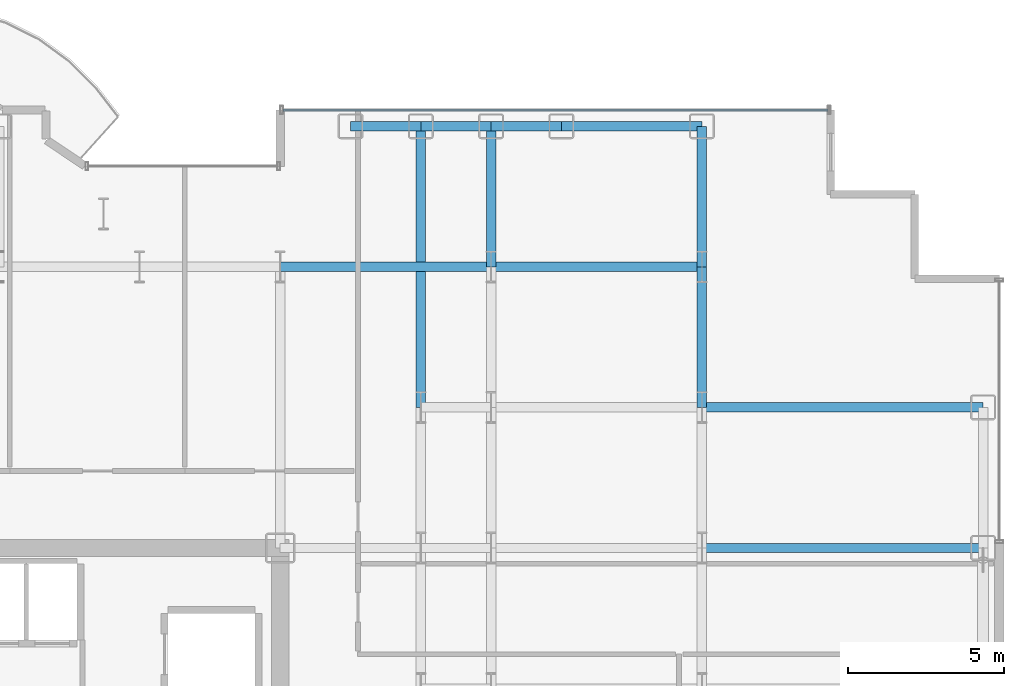
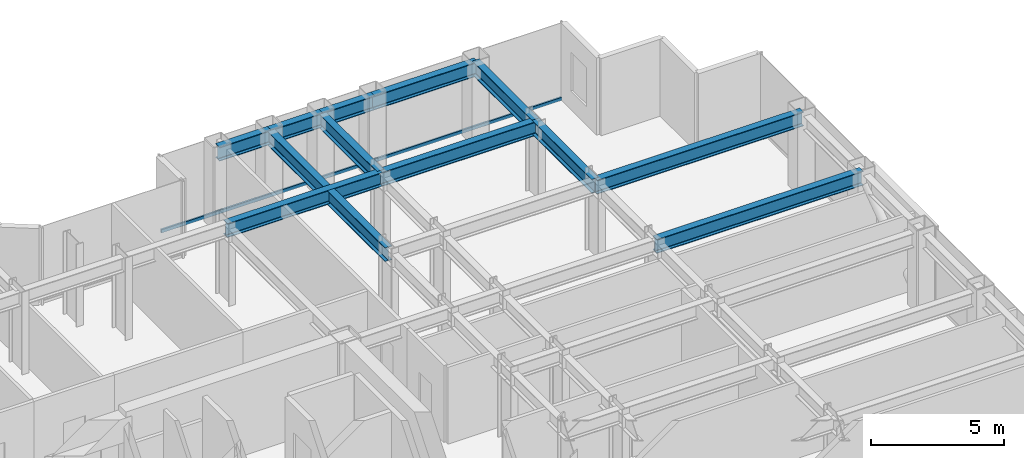
# One storey, part 16 of 29: 12 beams, 1 member, 1 element without a shape of its own.
"""IFC4 building model written with IfcOpenShell, lengths in metres."""

from ifc_helpers import new_model, si_unit, direction, frame, origin, origin_2d, place, context, subcontext, project, spatial, hollow_rectangle, i_section, extrude, source, transform, mapped, material, layer, layer_set, material_profile, profile_set, type_object, element, aggregate, save


model = new_model("IFC4")

# Units and contexts
model_context = context("Model", 3, precision=1e-05, world=origin(), true_north=direction((0.0, 1.0)))
body_context = subcontext(model_context, "Body", "Model", "MODEL_VIEW")
ifc_project = project(units=[si_unit("LENGTHUNIT", "METRE"), si_unit("AREAUNIT", "SQUARE_METRE"), si_unit("VOLUMEUNIT", "CUBIC_METRE"), si_unit("PLANEANGLEUNIT", "RADIAN"), si_unit("MASSUNIT", "GRAM", prefix="KILO")], contexts=[model_context])

# Site, building, storey
site_placement = place(None, origin())
site = spatial("IfcSite", under=ifc_project, at=site_placement, CompositionType="ELEMENT")
building_placement = place(site_placement, origin())
building = spatial("IfcBuilding", under=site, at=building_placement, Name="Nefas-Gora Pilgrimage Tower", CompositionType="ELEMENT")
storey_placement = place(building_placement, frame((0.0, 0.0, 136.39990234375)))
storey = spatial("IfcBuildingStorey", under=building, at=storey_placement, Name="L33", CompositionType="ELEMENT", Elevation=136.39990234375)

# Beams
ifc_material_1 = material(Name="Steel S355", Category="steel")
ifc_material_profile_1 = material_profile(ifc_material_1, i_section(OverallWidth=0.300048828125, OverallDepth=0.64990234375, WebThickness=0.01611328125, FlangeThickness=0.031005859375, FilletRadius=0.027099609375, at=origin_2d()), Name="HEB 650")
ifc_profile_set_1 = profile_set([ifc_material_profile_1], Name="Steel S355")
beam_type_1 = type_object("IfcBeamType", Name="BM-SPN-HEB500", PredefinedType="SPANDREL", material=ifc_profile_set_1)
shared_shape_1 = source(origin(), body_context, "Body", "SweptSolid", [
    extrude(i_section(OverallWidth=0.300048828125, OverallDepth=0.64990234375, WebThickness=0.01611328125, FlangeThickness=0.031005859375, FilletRadius=0.027099609375, at=origin_2d()), origin(), (0.0, 0.0, 1.0), 4.5),
])
beam_placement = place(storey_placement, frame((20.25, 22.5, 3.22509765625), z_axis=(1.0, 0.0, 0.0), x_axis=(0.0, 1.0, 0.0)))
element("IfcBeam", 1, at=beam_placement, inside=storey, type_object=beam_type_1, Name="L33 SP-02 beam", PredefinedType="SPANDREL", context=body_context, shape_type="MappedRepresentation", body=[
    mapped(shared_shape_1, transform((0.0, 0.0, 0.0), x_axis=(1.0, 0.0, 0.0), y_axis=(0.0, 1.0, 0.0), z_axis=(0.0, 0.0, 1.0), scale=1.0)),
])
ifc_material_profile_2 = material_profile(ifc_material_1, i_section(OverallWidth=0.300048828125, OverallDepth=0.64990234375, WebThickness=0.01611328125, FlangeThickness=0.031005859375, FilletRadius=0.027099609375, at=origin_2d()), Name="HEB 650")
ifc_profile_set_2 = profile_set([ifc_material_profile_2], Name="Steel S355")
beam_type_2 = type_object("IfcBeamType", Name="BM-GIR-HEB650", PredefinedType="BEAM", material=ifc_profile_set_2)
shared_shape_2 = source(origin(), body_context, "Body", "SweptSolid", [
    extrude(i_section(OverallWidth=0.300048828125, OverallDepth=0.64990234375, WebThickness=0.01611328125, FlangeThickness=0.031005859375, FilletRadius=0.027099609375, at=origin_2d()), origin(), (0.0, 0.0, 1.0), 9.0),
])
for number, where, z_axis, x_axis, name in (
    (2, (15.75, 13.5, 3.22509765625), (0.0, 1.0, 0.0), (-1.0, 0.0, 0.0), "L33 G-03 beam"),
    (3, (24.75, 9.0, 3.22509765625), (1.0, 0.0, 0.0), (0.0, 1.0, 0.0), "L33 G-03 beam"),
    (4, (24.75, 13.5, 3.22509765625), (1.0, 0.0, 0.0), (0.0, 1.0, 0.0), "L33 G-03 beam"),
):
    element("IfcBeam", number, at=place(storey_placement, frame(where, z_axis=z_axis, x_axis=x_axis)), inside=storey, type_object=beam_type_2, Name=name, PredefinedType="BEAM", context=body_context, shape_type="MappedRepresentation", body=[
        mapped(shared_shape_2, transform((0.0, 0.0, 0.0), x_axis=(1.0, 0.0, 0.0), y_axis=(0.0, 1.0, 0.0), z_axis=(0.0, 0.0, 1.0), scale=1.0)),
    ])
shared_shape_3 = source(origin(), body_context, "Body", "SweptSolid", [
    extrude(i_section(OverallWidth=0.300048828125, OverallDepth=0.64990234375, WebThickness=0.01611328125, FlangeThickness=0.031005859375, FilletRadius=0.027099609375, at=origin_2d()), origin(), (0.0, 0.0, 1.0), 4.5),
])
for number, where, z_axis, x_axis, name in (
    (5, (18.0, 18.0, 3.22509765625), (0.0, 1.0, 0.0), (-1.0, 0.0, 0.0), "L33 G-03 beam"),
    (6, (24.75, 13.5, 3.22509765625), (0.0, 1.0, 0.0), (-1.0, 0.0, 0.0), "L33 G-03 beam"),
    (7, (24.75, 18.0, 3.22509765625), (0.0, 1.0, 0.0), (-1.0, 0.0, 0.0), "L33 G-03 beam"),
):
    element("IfcBeam", number, at=place(storey_placement, frame(where, z_axis=z_axis, x_axis=x_axis)), inside=storey, type_object=beam_type_2, Name=name, PredefinedType="BEAM", context=body_context, shape_type="MappedRepresentation", body=[
        mapped(shared_shape_3, transform((0.0, 0.0, 0.0), x_axis=(1.0, 0.0, 0.0), y_axis=(0.0, 1.0, 0.0), z_axis=(0.0, 0.0, 1.0), scale=1.0)),
    ])
shared_shape_4 = source(origin(), body_context, "Body", "SweptSolid", [
    extrude(i_section(OverallWidth=0.300048828125, OverallDepth=0.64990234375, WebThickness=0.01611328125, FlangeThickness=0.031005859375, FilletRadius=0.027099609375, at=origin_2d()), origin(), (0.0, 0.0, 1.0), 6.75),
])
for number, where, z_axis, x_axis, name in (
    (8, (11.25, 18.0, 3.22509765625), (1.0, 0.0, 0.0), (0.0, 1.0, 0.0), "L33 G-03 beam"),
    (9, (18.0, 18.0, 3.22509765625), (1.0, 0.0, 0.0), (0.0, 1.0, 0.0), "L33 G-03 beam"),
):
    element("IfcBeam", number, at=place(storey_placement, frame(where, z_axis=z_axis, x_axis=x_axis)), inside=storey, type_object=beam_type_2, Name=name, PredefinedType="BEAM", context=body_context, shape_type="MappedRepresentation", body=[
        mapped(shared_shape_4, transform((0.0, 0.0, 0.0), x_axis=(1.0, 0.0, 0.0), y_axis=(0.0, 1.0, 0.0), z_axis=(0.0, 0.0, 1.0), scale=1.0)),
    ])
shared_shape_5 = source(origin(), body_context, "Body", "SweptSolid", [
    extrude(i_section(OverallWidth=0.300048828125, OverallDepth=0.64990234375, WebThickness=0.01611328125, FlangeThickness=0.031005859375, FilletRadius=0.027099609375, at=origin_2d()), origin(), (0.0, 0.0, 1.0), 2.25),
])
for number, where, z_axis, x_axis, name in (
    (10, (13.5, 22.5, 3.22509765625), (1.0, 0.0, 0.0), (0.0, 1.0, 0.0), "L33 SP-02 beam"),
    (11, (15.75, 22.5, 3.22509765625), (1.0, 0.0, 0.0), (0.0, 1.0, 0.0), "L33 SP-02 beam"),
    (12, (18.0, 22.5, 3.22509765625), (1.0, 0.0, 0.0), (0.0, 1.0, 0.0), "L33 SP-02 beam"),
):
    element("IfcBeam", number, at=place(storey_placement, frame(where, z_axis=z_axis, x_axis=x_axis)), inside=storey, type_object=beam_type_1, Name=name, PredefinedType="SPANDREL", context=body_context, shape_type="MappedRepresentation", body=[
        mapped(shared_shape_5, transform((0.0, 0.0, 0.0), x_axis=(1.0, 0.0, 0.0), y_axis=(0.0, 1.0, 0.0), z_axis=(0.0, 0.0, 1.0), scale=1.0)),
    ])

# Curtain wall, member
ifc_material_2 = material(Name="Dark ceramic-fritted solar-control aluminium-glass curtain wall", Category="aluminium")
ifc_layer = layer(ifc_material_2, 0.219970703125)
ifc_layer_set = layer_set([ifc_layer], Name="Dark ceramic-fritted solar-control aluminium-glass curtain wall")
curtain_wall_type = type_object("IfcCurtainWallType", Name="CW-SYS-2", PredefinedType="NOTDEFINED", material=ifc_layer_set)
curtain_wall_placement = place(storey_placement, origin())
curtain_wall = element("IfcCurtainWall", 13, at=curtain_wall_placement, inside=storey, type_object=curtain_wall_type, Name="L33 Unitised Curtain Wall CW2", PredefinedType="NOTDEFINED")
ifc_material_3 = material(Name="Anodised architectural aluminium", Category="aluminium")
ifc_material_profile_3 = material_profile(ifc_material_3, hollow_rectangle(XDim=0.080078125, YDim=0.159912109375, WallThickness=0.00439453125, InnerFilletRadius=0.00439453125, OuterFilletRadius=0.009033203125, at=origin_2d()), Name="ALU TRANSOM 80x160")
ifc_profile_set_3 = profile_set([ifc_material_profile_3], Name="Anodised architectural aluminium")
member_type = type_object("IfcMemberType", Name="CWM-TRN-2", PredefinedType="USERDEFINED", material=ifc_profile_set_3)
shared_shape_6 = source(origin(), body_context, "Body", "SweptSolid", [
    extrude(hollow_rectangle(XDim=0.080078125, YDim=0.159912109375, WallThickness=0.00439453125, InnerFilletRadius=0.00439453125, OuterFilletRadius=0.009033203125, at=origin_2d()), origin(), (0.0, 0.0, 1.0), 17.43994140625),
])
member_placement = place(storey_placement, frame((28.780029296875, 23.02001953125, 0.050048828125), z_axis=(-1.0, 0.0, 0.0), x_axis=(0.0, -1.0, 0.0)))
member = element("IfcMember", 14, at=member_placement, type_object=member_type, Name="CW2 Spandrel Transom", ObjectType="TRANSOM", PredefinedType="USERDEFINED", context=body_context, shape_type="MappedRepresentation", body=[
    mapped(shared_shape_6, transform((0.0, 0.0, 0.0), x_axis=(1.0, 0.0, 0.0), y_axis=(0.0, 1.0, 0.0), z_axis=(0.0, 0.0, 1.0), scale=1.0)),
])
aggregate(curtain_wall, [member])

save(model, "model.ifc")
